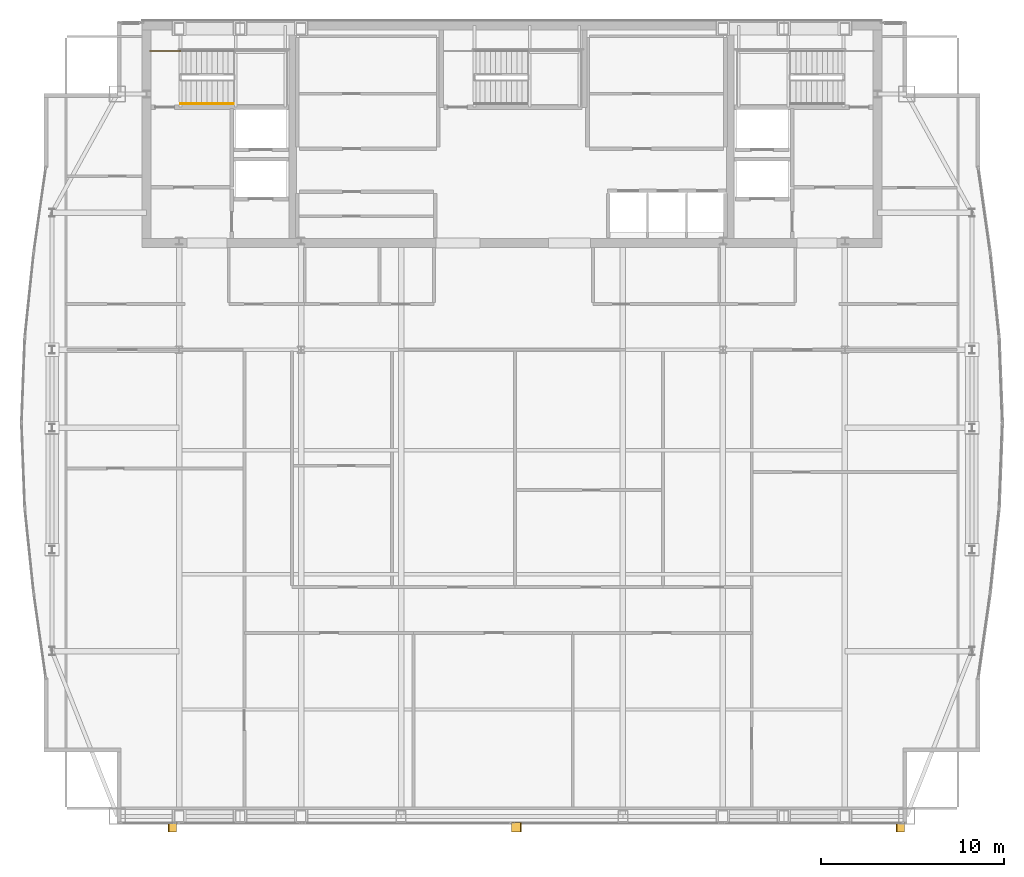
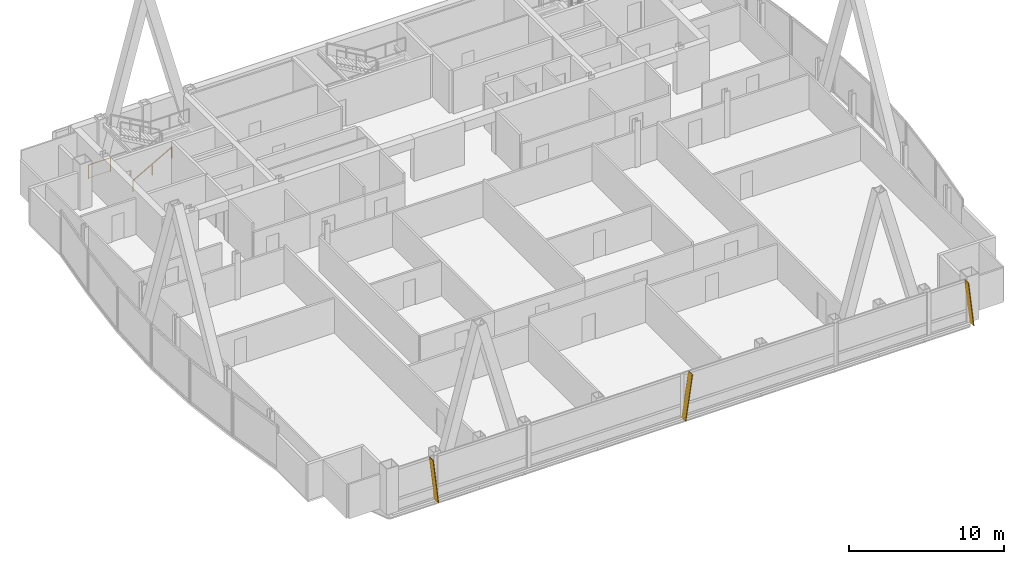
# One storey, part 28 of 29: 3 shading devices, 2 railings.
"""IFC4 building model written with IfcOpenShell, lengths in metres."""

from ifc_helpers import new_model, si_unit, direction, frame, origin, origin_2d, place, context, subcontext, project, spatial, polyline, rectangle, outline, extrude, material, layer, layer_set, type_object, element, save


model = new_model("IFC4")

# Units and contexts
model_context = context("Model", 3, precision=1e-05, world=origin(), true_north=direction((0.0, 1.0)))
body_context = subcontext(model_context, "Body", "Model", "MODEL_VIEW")
ifc_project = project(units=[si_unit("LENGTHUNIT", "METRE"), si_unit("AREAUNIT", "SQUARE_METRE"), si_unit("VOLUMEUNIT", "CUBIC_METRE"), si_unit("PLANEANGLEUNIT", "RADIAN"), si_unit("MASSUNIT", "GRAM", prefix="KILO")], contexts=[model_context])

# Site, building, storey
site_placement = place(None, origin())
site = spatial("IfcSite", under=ifc_project, at=site_placement, CompositionType="ELEMENT")
building_placement = place(site_placement, origin())
building = spatial("IfcBuilding", under=site, at=building_placement, Name="Khoronbel Lancet Exchange", CompositionType="ELEMENT")
storey_placement = place(building_placement, frame((0.0, 0.0, 302.199951171875)))
storey = spatial("IfcBuildingStorey", under=building, at=storey_placement, Name="L78", CompositionType="ELEMENT", Elevation=302.199951171875)

# Railings
ifc_material_1 = material(Name="Painted Steel Balustrade", Category="steel")
railing_type_1 = type_object("IfcRailingType", Name="RL-STG110", PredefinedType="GUARDRAIL", material=ifc_material_1)
railing_1_placement = place(storey_placement, frame((16.64990234375, 52.050048828125, 0.0)))
element("IfcRailing", 1, at=railing_1_placement, inside=storey, type_object=railing_type_1, Name="L78 ST1 stair guard 6", PredefinedType="GUARDRAIL", context=body_context, shape_type="SweptSolid", body=[
    extrude(rectangle(XDim=0.048095703125, YDim=0.048095703125, at=origin_2d()), frame((0.0, 0.0, 1.09619140625), z_axis=(1.0, 0.0, 0.0), x_axis=(0.0, 1.0, 0.0)), (0.0, 0.0, 1.0), 1.650146484375),
    extrude(rectangle(XDim=0.02392578125, YDim=0.02392578125, at=origin_2d()), frame((0.0, 0.0, 0.080078125), z_axis=(1.0, 0.0, 0.0), x_axis=(0.0, 1.0, 0.0)), (0.0, 0.0, 1.0), 1.650146484375),
    extrude(rectangle(XDim=0.0419921875, YDim=0.0419921875, at=origin_2d()), origin(), (0.0, 0.0, 1.0), 1.072021484375),
    extrude(rectangle(XDim=0.0419921875, YDim=0.0419921875, at=origin_2d()), frame((1.650146484375, 0.0, 0.0)), (0.0, 0.0, 1.0), 1.072021484375),
])
ifc_material_2 = material(Name="Brushed Stainless Steel 316", Category="steel")
railing_type_2 = type_object("IfcRailingType", Name="RL-STH92", PredefinedType="HANDRAIL", material=ifc_material_2)
railing_2_placement = place(storey_placement, frame((18.300048828125, 49.169921875, 0.16357421875)))
element("IfcRailing", 2, at=railing_2_placement, inside=storey, type_object=railing_type_2, Name="L78 ST1 stair handrail 1", PredefinedType="HANDRAIL", context=body_context, shape_type="SweptSolid", body=[
    extrude(rectangle(XDim=0.048095703125, YDim=0.048095703125, at=origin_2d()), frame((0.0, 0.0, 0.8759765625), z_axis=(0.870897200241, 0.0, 0.491465224214), x_axis=(0.0, 1.0, 0.0)), (0.0, 0.0, 1.0), 3.329833984375),
    extrude(rectangle(XDim=0.0419921875, YDim=0.0419921875, at=origin_2d()), origin(), (0.0, 0.0, 1.0), 0.851806640625),
    extrude(rectangle(XDim=0.0419921875, YDim=0.0419921875, at=origin_2d()), frame((1.449951171875, 0.0, 0.818359375)), (0.0, 0.0, 1.0), 0.851806640625),
    extrude(rectangle(XDim=0.0419921875, YDim=0.0419921875, at=origin_2d()), frame((2.89990234375, 0.0, 1.636474609375)), (0.0, 0.0, 1.0), 0.851806640625),
])

# Shading devices
ifc_material_3 = material(Name="Bronze-Anodised Aluminium 6063-T6", Category="aluminium")
ifc_layer = layer(ifc_material_3, 0.054931640625, Name="Bronze-Anodised Aluminium 6063-T6")
ifc_layer_set = layer_set([ifc_layer], Name="Bronze-Anodised Aluminium 6063-T6")
shading_device_type = type_object("IfcShadingDeviceType", Name="SHD-FIN1", PredefinedType="USERDEFINED", material=ifc_layer_set)
shading_device_1_placement = place(storey_placement, frame((18.072509765625, 9.81005859375, -0.079833984375), z_axis=(0.993691210277, 0.0, 0.112150696026), x_axis=(0.0, -1.0, 0.0)))
element("IfcShadingDevice", 3, at=shading_device_1_placement, inside=storey, type_object=shading_device_type, Name="Slanted bronze solar fin CW-L78-SWV-1", ObjectType="FIN", PredefinedType="USERDEFINED", context=body_context, shape_type="SweptSolid", body=[
    extrude(outline(polyline([(0.0, 0.0), (0.52001953125, 0.0), (0.52001953125, -3.522216796875), (0.0, -3.522216796875), (0.0, 0.0)])), origin(), (0.0, 0.0, -1.0), 0.054931640625),
])
shading_device_2_placement = place(storey_placement, frame((36.422607421875, 9.81005859375, -0.079833984375), z_axis=(-0.989755257242, 0.0, 0.142774405132), x_axis=(0.0, -1.0, 0.0)))
element("IfcShadingDevice", 4, at=shading_device_2_placement, inside=storey, type_object=shading_device_type, Name="Slanted bronze solar fin CW-L78-SCV-1", ObjectType="FIN", PredefinedType="USERDEFINED", context=body_context, shape_type="SweptSolid", body=[
    extrude(outline(polyline([(0.0, 0.0), (0.52001953125, 0.0), (0.52001953125, 3.5361328125), (0.0, 3.5361328125), (0.0, 0.0)])), origin(), (0.0, 0.0, -1.0), 0.054931640625),
])
shading_device_3_placement = place(storey_placement, frame((57.9326171875, 9.81005859375, -0.079833984375), z_axis=(0.993691210277, 0.0, 0.112150696026), x_axis=(0.0, -1.0, 0.0)))
element("IfcShadingDevice", 5, at=shading_device_3_placement, inside=storey, type_object=shading_device_type, Name="Slanted bronze solar fin CW-L78-SEV-1", ObjectType="FIN", PredefinedType="USERDEFINED", context=body_context, shape_type="SweptSolid", body=[
    extrude(outline(polyline([(0.0, 0.0), (0.52001953125, 0.0), (0.52001953125, -3.522216796875), (0.0, -3.522216796875), (0.0, 0.0)])), origin(), (0.0, 0.0, -1.0), 0.054931640625),
])

save(model, "model.ifc")
